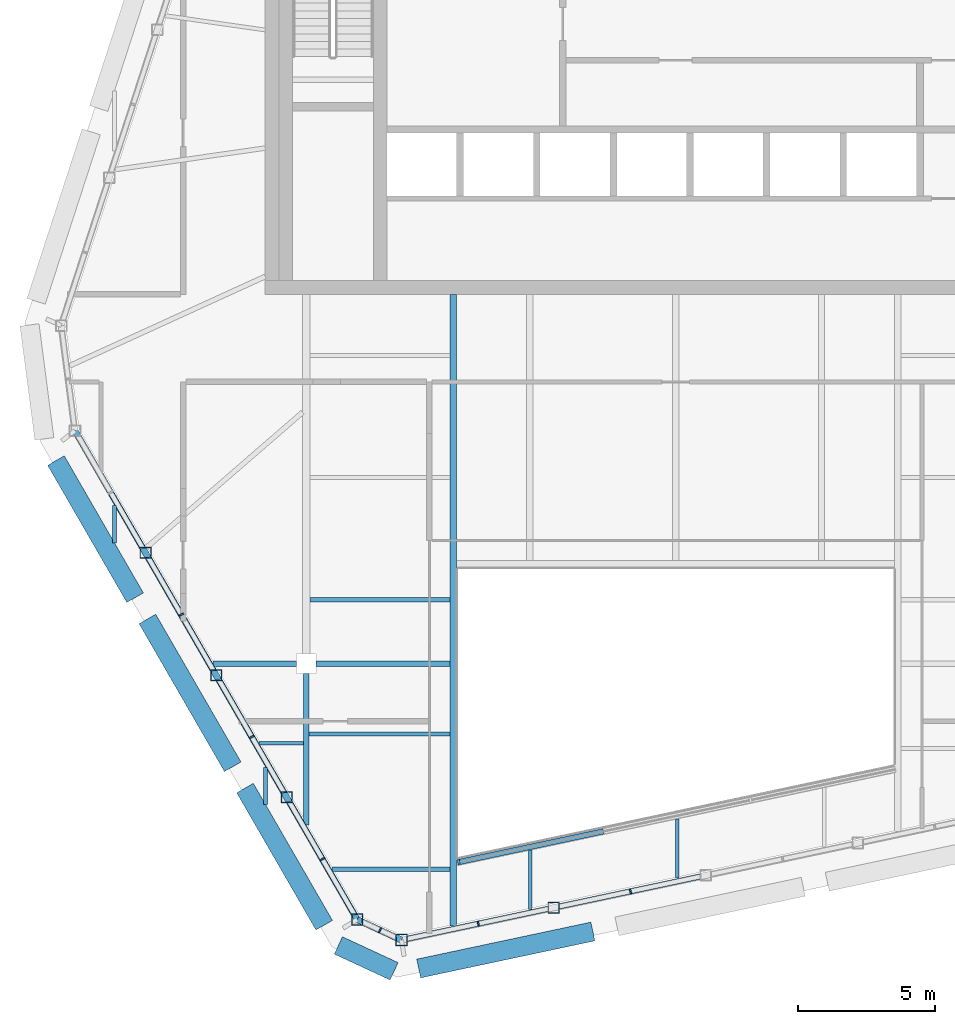
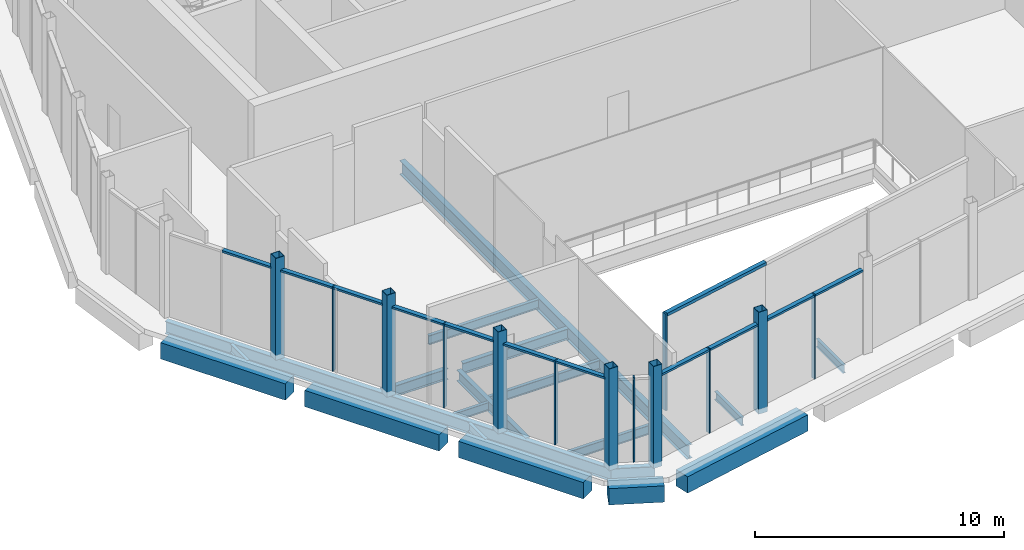
# One storey, part 1 of 12: 25 members, 19 beams, 4 elements without a shape of their own.
"""IFC4 building model written with IfcOpenShell, lengths in metres."""

from ifc_helpers import new_model, si_unit, direction, frame, origin, origin_2d, place, context, subcontext, project, spatial, rectangle, hollow_rectangle, i_section, extrude, material, layer, layer_set, material_profile, profile_set, type_object, element, aggregate, save


model = new_model("IFC4")

# Units and contexts
model_context = context("Model", 3, precision=1e-05, world=origin(), true_north=direction((0.0, 1.0)))
body_context = subcontext(model_context, "Body", "Model", "MODEL_VIEW")
ifc_project = project(units=[si_unit("LENGTHUNIT", "METRE"), si_unit("AREAUNIT", "SQUARE_METRE"), si_unit("VOLUMEUNIT", "CUBIC_METRE"), si_unit("PLANEANGLEUNIT", "RADIAN"), si_unit("MASSUNIT", "GRAM", prefix="KILO")], contexts=[model_context])

# Site, building, storey
site_placement = place(None, origin())
site = spatial("IfcSite", under=ifc_project, at=site_placement, CompositionType="ELEMENT")
building_placement = place(site_placement, origin())
building = spatial("IfcBuilding", under=site, at=building_placement, Name="Isthmus Gate Tower", CompositionType="ELEMENT")
storey_placement = place(building_placement, frame((0.0, 0.0, 301.10009765625)))
storey = spatial("IfcBuildingStorey", under=building, at=storey_placement, Name="C1", CompositionType="ELEMENT", Elevation=301.10009765625)

# Members
ifc_material_1 = material(Name="Structural steel ASTM A500 Gr C", Category="steel")
ifc_material_profile_1 = material_profile(ifc_material_1, hollow_rectangle(XDim=0.406494140625, YDim=0.406494140625, WallThickness=0.017578125, at=origin_2d()), Name="HSS16X16X3/4")
ifc_profile_set_1 = profile_set([ifc_material_profile_1], Name="Structural steel ASTM A500 Gr C")
member_type_1 = type_object("IfcMemberType", Name="CROWN POST HSS16X16X3/4", PredefinedType="POST", material=ifc_profile_set_1)
for number, where, z_axis, x_axis, name in (
    (1, (-19.370849609375, -9.44873046875, -0.25), (0.0, 0.0, 1.0), (1.0, 0.0, 0.0), "str-crownpost-C1-12"),
    (2, (-16.792236328125, -13.9150390625, -0.25), (0.0, 0.0, 1.0), (1.0, 0.0, 0.0), "str-crownpost-C1-13"),
    (3, (-14.213623046875, -18.38134765625, -0.25), (0.0, 0.0, 1.0), (1.0, 0.0, 0.0), "str-crownpost-C1-14"),
    (4, (-11.634765625, -22.847900390625, -0.25), (0.0, 0.0, 1.0), (1.0, 0.0, 0.0), "str-crownpost-C1-15"),
    (5, (-10.020263671875, -23.596435546875, -0.25), (0.0, 0.0, 1.0), (1.0, 0.0, 0.0), "str-crownpost-C1-16"),
    (6, (-4.46142578125, -22.414794921875, -0.25), (0.0, 0.0, 1.0), (1.0, 0.0, 0.0), "str-crownpost-C1-17"),
):
    element("IfcMember", number, at=place(storey_placement, frame(where, z_axis=z_axis, x_axis=x_axis)), inside=storey, type_object=member_type_1, Name=name, PredefinedType="POST", context=body_context, shape_type="SweptSolid", body=[
        extrude(hollow_rectangle(XDim=0.406494140625, YDim=0.406494140625, WallThickness=0.017578125, at=origin_2d()), origin(), (0.0, 0.0, 1.0), 5.0),
    ])

# Beams
ifc_material_2 = material(Name="Structural steel ASTM A992 Gr 50", Category="steel")
ifc_material_profile_2 = material_profile(ifc_material_2, i_section(OverallWidth=0.231689453125, OverallDepth=0.615966796875, WebThickness=0.0126953125, FlangeThickness=0.022216796875, at=origin_2d()), Name="W24X94")
ifc_profile_set_2 = profile_set([ifc_material_profile_2], Name="Structural steel ASTM A992 Gr 50")
beam_type_1 = type_object("IfcBeamType", Name="CROWN RING BEAM W24X94", PredefinedType="BEAM", material=ifc_profile_set_2)
beam_1_placement = place(storey_placement, frame((-21.949462890625, -4.982177734375, -0.55810546875), z_axis=(0.499996999955, -0.866027135854, 0.0), x_axis=(0.866027135854, 0.499996999955, 0.0)))
element("IfcBeam", 7, at=beam_1_placement, inside=storey, type_object=beam_type_1, Name="str-crownring-C1-04", PredefinedType="BEAM", context=body_context, shape_type="SweptSolid", body=[
    extrude(i_section(OverallWidth=0.231689453125, OverallDepth=0.615966796875, WebThickness=0.0126953125, FlangeThickness=0.022216796875, at=origin_2d()), origin(), (0.0, 0.0, 1.0), 20.629638671875),
])
beam_2_placement = place(storey_placement, frame((-11.634765625, -22.847900390625, -0.55810546875), z_axis=(0.907235278747, -0.420623524065, 0.0), x_axis=(0.420623524065, 0.907235278747, 0.0)))
element("IfcBeam", 8, at=beam_2_placement, inside=storey, type_object=beam_type_1, Name="str-crownring-C1-05", PredefinedType="BEAM", context=body_context, shape_type="SweptSolid", body=[
    extrude(i_section(OverallWidth=0.231689453125, OverallDepth=0.615966796875, WebThickness=0.0126953125, FlangeThickness=0.022216796875, at=origin_2d()), origin(), (0.0, 0.0, 1.0), 1.779541015625),
])

# Curtain wall, members
ifc_material_3 = material(Name="Aluminium, pale champagne anodised", Category="aluminium")
ifc_layer_1 = layer(ifc_material_3, 0.199951171875)
ifc_layer_set_1 = layer_set([ifc_layer_1], Name="CW-2 LOUVRE CURTAIN WALL 200 DEEP")
curtain_wall_type_1 = type_object("IfcCurtainWallType", Name="CW-2 LOUVRE CURTAIN WALL 200 DEEP", PredefinedType="NOTDEFINED", material=ifc_layer_set_1)
curtain_wall_1_placement = place(storey_placement, origin())
curtain_wall_1 = element("IfcCurtainWall", 9, at=curtain_wall_1_placement, inside=storey, type_object=curtain_wall_type_1, Name="CW-2 E04 C1", PredefinedType="NOTDEFINED")
ifc_material_4 = material(Name="Aluminium, pale champagne anodised", Category="aluminium")
ifc_material_profile_3 = material_profile(ifc_material_4, rectangle(XDim=0.06005859375, YDim=0.199951171875, at=origin_2d()), Name="60x200")
ifc_profile_set_3 = profile_set([ifc_material_profile_3], Name="Aluminium, pale champagne anodised")
member_type_2 = type_object("IfcMemberType", Name="CW-2 MULLION 60 X 200", PredefinedType="MULLION", material=ifc_profile_set_3)
member_1_placement = place(storey_placement, frame((-18.066650390625, -11.707763671875, 0.0), z_axis=(0.0, 0.0, 1.0), x_axis=(0.5, -0.866025403784, 0.0)))
member_1 = element("IfcMember", 10, at=member_1_placement, type_object=member_type_2, Name="CW-2 mullion", PredefinedType="MULLION", context=body_context, shape_type="SweptSolid", body=[
    extrude(rectangle(XDim=0.06005859375, YDim=0.199951171875, at=origin_2d()), origin(), (0.0, 0.0, 1.0), 4.134033203125),
])
member_2_placement = place(storey_placement, frame((-15.48779296875, -16.17431640625, 0.0), z_axis=(0.0, 0.0, 1.0), x_axis=(0.5, -0.866025403784, 0.0)))
member_2 = element("IfcMember", 11, at=member_2_placement, type_object=member_type_2, Name="CW-2 mullion", PredefinedType="MULLION", context=body_context, shape_type="SweptSolid", body=[
    extrude(rectangle(XDim=0.06005859375, YDim=0.199951171875, at=origin_2d()), origin(), (0.0, 0.0, 1.0), 4.134033203125),
])
member_3_placement = place(storey_placement, frame((-12.9091796875, -20.640625, 0.0), z_axis=(0.0, 0.0, 1.0), x_axis=(0.5, -0.866025403784, 0.0)))
member_3 = element("IfcMember", 12, at=member_3_placement, type_object=member_type_2, Name="CW-2 mullion", PredefinedType="MULLION", context=body_context, shape_type="SweptSolid", body=[
    extrude(rectangle(XDim=0.06005859375, YDim=0.199951171875, at=origin_2d()), origin(), (0.0, 0.0, 1.0), 4.134033203125),
])

# Curtain wall, member
curtain_wall_2_placement = place(storey_placement, origin())
curtain_wall_2 = element("IfcCurtainWall", 13, at=curtain_wall_2_placement, inside=storey, type_object=curtain_wall_type_1, Name="CW-2 E05 C1", PredefinedType="NOTDEFINED")
member_4_placement = place(storey_placement, frame((-10.80029296875, -23.234619140625, 0.0), z_axis=(0.0, 0.0, 1.0), x_axis=(0.907256261367, -0.420578264073, 0.0)))
member_4 = element("IfcMember", 14, at=member_4_placement, type_object=member_type_2, Name="CW-2 mullion", PredefinedType="MULLION", context=body_context, shape_type="SweptSolid", body=[
    extrude(rectangle(XDim=0.06005859375, YDim=0.199951171875, at=origin_2d()), origin(), (0.0, 0.0, 1.0), 4.134033203125),
])
aggregate(curtain_wall_2, [member_4])

# Curtain wall, members
curtain_wall_3_placement = place(storey_placement, origin())
curtain_wall_3 = element("IfcCurtainWall", 15, at=curtain_wall_3_placement, inside=storey, type_object=curtain_wall_type_1, Name="CW-2 E06 C1", PredefinedType="NOTDEFINED")
member_5_placement = place(storey_placement, frame((-7.21142578125, -22.999267578125, 0.0), z_axis=(0.0, 0.0, 1.0), x_axis=(0.978147600734, 0.207911690818, 0.0)))
member_5 = element("IfcMember", 16, at=member_5_placement, type_object=member_type_2, Name="CW-2 mullion", PredefinedType="MULLION", context=body_context, shape_type="SweptSolid", body=[
    extrude(rectangle(XDim=0.06005859375, YDim=0.199951171875, at=origin_2d()), origin(), (0.0, 0.0, 1.0), 4.134033203125),
])
member_6_placement = place(storey_placement, frame((-1.652587890625, -21.81787109375, 0.0), z_axis=(0.0, 0.0, 1.0), x_axis=(0.978147600734, 0.207911690818, 0.0)))
member_6 = element("IfcMember", 17, at=member_6_placement, type_object=member_type_2, Name="CW-2 mullion", PredefinedType="MULLION", context=body_context, shape_type="SweptSolid", body=[
    extrude(rectangle(XDim=0.06005859375, YDim=0.199951171875, at=origin_2d()), origin(), (0.0, 0.0, 1.0), 4.134033203125),
])

# Member
ifc_material_5 = material(Name="Aluminium, pale champagne anodised", Category="aluminium")
ifc_material_profile_4 = material_profile(ifc_material_5, rectangle(XDim=0.199951171875, YDim=0.10009765625, at=origin_2d()), Name="200x100")
ifc_profile_set_4 = profile_set([ifc_material_profile_4], Name="Aluminium, pale champagne anodised")
member_type_3 = type_object("IfcMemberType", Name="CW-2 TRANSOM 200 X 100", PredefinedType="USERDEFINED", material=ifc_profile_set_4)
member_7_placement = place(storey_placement, frame((-20.630126953125, -7.267333984375, 4.083984375), z_axis=(0.499971918929, -0.866041615791, 0.0), x_axis=(0.866041615791, 0.499971918929, 0.0)))
member_7 = element("IfcMember", 18, at=member_7_placement, type_object=member_type_3, Name="CW-2 transom", ObjectType="TRANSOM", PredefinedType="USERDEFINED", context=body_context, shape_type="SweptSolid", body=[
    extrude(rectangle(XDim=0.199951171875, YDim=0.10009765625, at=origin_2d()), origin(), (0.0, 0.0, 1.0), 2.315673828125),
])

member_8_placement = place(storey_placement, frame((-19.269287109375, -9.62451171875, 4.083984375), z_axis=(0.49997450891, -0.866040120572, 0.0), x_axis=(0.866040120572, 0.49997450891, 0.0)))
member_8 = element("IfcMember", 19, at=member_8_placement, type_object=member_type_3, Name="CW-2 transom", ObjectType="TRANSOM", PredefinedType="USERDEFINED", context=body_context, shape_type="SweptSolid", body=[
    extrude(rectangle(XDim=0.199951171875, YDim=0.10009765625, at=origin_2d()), origin(), (0.0, 0.0, 1.0), 2.37548828125),
])

member_9_placement = place(storey_placement, frame((-18.051513671875, -11.73388671875, 4.083984375), z_axis=(0.50001757531, -0.866015256437, 0.0), x_axis=(0.866015256437, 0.50001757531, 0.0)))
member_9 = element("IfcMember", 20, at=member_9_placement, type_object=member_type_3, Name="CW-2 transom", ObjectType="TRANSOM", PredefinedType="USERDEFINED", context=body_context, shape_type="SweptSolid", body=[
    extrude(rectangle(XDim=0.199951171875, YDim=0.10009765625, at=origin_2d()), origin(), (0.0, 0.0, 1.0), 2.3154296875),
])

member_10_placement = place(storey_placement, frame((-16.690673828125, -14.091064453125, 4.083984375), z_axis=(0.500019011276, -0.866014427341, 0.0), x_axis=(0.866014427341, 0.500019011276, 0.0)))
member_10 = element("IfcMember", 21, at=member_10_placement, type_object=member_type_3, Name="CW-2 transom", ObjectType="TRANSOM", PredefinedType="USERDEFINED", context=body_context, shape_type="SweptSolid", body=[
    extrude(rectangle(XDim=0.199951171875, YDim=0.10009765625, at=origin_2d()), origin(), (0.0, 0.0, 1.0), 2.37548828125),
])

member_11_placement = place(storey_placement, frame((-15.472900390625, -16.2001953125, 4.083984375), z_axis=(0.50001757531, -0.866015256437, 0.0), x_axis=(0.866015256437, 0.50001757531, 0.0)))
member_11 = element("IfcMember", 22, at=member_11_placement, type_object=member_type_3, Name="CW-2 transom", ObjectType="TRANSOM", PredefinedType="USERDEFINED", context=body_context, shape_type="SweptSolid", body=[
    extrude(rectangle(XDim=0.199951171875, YDim=0.10009765625, at=origin_2d()), origin(), (0.0, 0.0, 1.0), 2.3154296875),
])

member_12_placement = place(storey_placement, frame((-14.112060546875, -18.557373046875, 4.083984375), z_axis=(0.500019011276, -0.866014427341, 0.0), x_axis=(0.866014427341, 0.500019011276, 0.0)))
member_12 = element("IfcMember", 23, at=member_12_placement, type_object=member_type_3, Name="CW-2 transom", ObjectType="TRANSOM", PredefinedType="USERDEFINED", context=body_context, shape_type="SweptSolid", body=[
    extrude(rectangle(XDim=0.199951171875, YDim=0.10009765625, at=origin_2d()), origin(), (0.0, 0.0, 1.0), 2.37548828125),
])

member_13_placement = place(storey_placement, frame((-12.894287109375, -20.66650390625, 4.083984375), z_axis=(0.499971918929, -0.866041615791, 0.0), x_axis=(0.866041615791, 0.499971918929, 0.0)))
member_13 = element("IfcMember", 24, at=member_13_placement, type_object=member_type_3, Name="CW-2 transom", ObjectType="TRANSOM", PredefinedType="USERDEFINED", context=body_context, shape_type="SweptSolid", body=[
    extrude(rectangle(XDim=0.199951171875, YDim=0.10009765625, at=origin_2d()), origin(), (0.0, 0.0, 1.0), 2.315673828125),
])

aggregate(curtain_wall_1, [member_7, member_8, member_1, member_9, member_10, member_2, member_11, member_12, member_3, member_13])

member_14_placement = place(storey_placement, frame((-9.8212890625, -23.55419921875, 4.083984375), z_axis=(0.978142384703, 0.207936228801, 0.0), x_axis=(-0.207936228801, 0.978142384703, 0.0)))
member_14 = element("IfcMember", 25, at=member_14_placement, type_object=member_type_3, Name="CW-2 transom", ObjectType="TRANSOM", PredefinedType="USERDEFINED", context=body_context, shape_type="SweptSolid", body=[
    extrude(rectangle(XDim=0.199951171875, YDim=0.10009765625, at=origin_2d()), origin(), (0.0, 0.0, 1.0), 2.63818359375),
])

member_15_placement = place(storey_placement, frame((-7.18212890625, -22.9931640625, 4.083984375), z_axis=(0.978142002072, 0.207938028708, 0.0), x_axis=(-0.207938028708, 0.978142002072, 0.0)))
member_15 = element("IfcMember", 26, at=member_15_placement, type_object=member_type_3, Name="CW-2 transom", ObjectType="TRANSOM", PredefinedType="USERDEFINED", context=body_context, shape_type="SweptSolid", body=[
    extrude(rectangle(XDim=0.199951171875, YDim=0.10009765625, at=origin_2d()), origin(), (0.0, 0.0, 1.0), 2.578369140625),
])

member_16_placement = place(storey_placement, frame((-4.262451171875, -22.37255859375, 4.083984375), z_axis=(0.978142384703, 0.207936228801, 0.0), x_axis=(-0.207936228801, 0.978142384703, 0.0)))
member_16 = element("IfcMember", 27, at=member_16_placement, type_object=member_type_3, Name="CW-2 transom", ObjectType="TRANSOM", PredefinedType="USERDEFINED", context=body_context, shape_type="SweptSolid", body=[
    extrude(rectangle(XDim=0.199951171875, YDim=0.10009765625, at=origin_2d()), origin(), (0.0, 0.0, 1.0), 2.63818359375),
])

member_17_placement = place(storey_placement, frame((-1.623291015625, -21.8115234375, 4.083984375), z_axis=(0.978142002072, 0.207938028708, 0.0), x_axis=(-0.207938028708, 0.978142002072, 0.0)))
member_17 = element("IfcMember", 28, at=member_17_placement, type_object=member_type_3, Name="CW-2 transom", ObjectType="TRANSOM", PredefinedType="USERDEFINED", context=body_context, shape_type="SweptSolid", body=[
    extrude(rectangle(XDim=0.199951171875, YDim=0.10009765625, at=origin_2d()), origin(), (0.0, 0.0, 1.0), 2.578369140625),
])

aggregate(curtain_wall_3, [member_14, member_5, member_15, member_16, member_6, member_17])

# Curtain wall, members
ifc_material_6 = material(Name="Aluminium, pale champagne anodised", Category="aluminium")
ifc_layer_2 = layer(ifc_material_6, 0.199951171875)
ifc_layer_set_2 = layer_set([ifc_layer_2], Name="CW-4 ATRIUM CURTAIN WALL 200 DEEP")
curtain_wall_type_2 = type_object("IfcCurtainWallType", Name="CW-4 ATRIUM CURTAIN WALL 200 DEEP", PredefinedType="NOTDEFINED", material=ifc_layer_set_2)
curtain_wall_4_placement = place(storey_placement, origin())
curtain_wall_4 = element("IfcCurtainWall", 29, at=curtain_wall_4_placement, inside=storey, type_object=curtain_wall_type_2, Name="CW-4 atrium south C1", PredefinedType="NOTDEFINED")
ifc_material_7 = material(Name="Aluminium, pale champagne anodised", Category="aluminium")
ifc_material_profile_5 = material_profile(ifc_material_7, rectangle(XDim=0.080078125, YDim=0.199951171875, at=origin_2d()), Name="80x200")
ifc_profile_set_5 = profile_set([ifc_material_profile_5], Name="Aluminium, pale champagne anodised")
member_type_4 = type_object("IfcMemberType", Name="CW-4 MULLION 80 X 200", PredefinedType="MULLION", material=ifc_profile_set_5)
member_18_placement = place(storey_placement, frame((-7.9296875, -20.74951171875, 0.0), z_axis=(0.0, 0.0, 1.0), x_axis=(0.978147600734, 0.207911690818, 0.0)))
member_18 = element("IfcMember", 30, at=member_18_placement, type_object=member_type_4, Name="CW-4 mullion", PredefinedType="MULLION", context=body_context, shape_type="SweptSolid", body=[
    extrude(rectangle(XDim=0.080078125, YDim=0.199951171875, at=origin_2d()), origin(), (0.0, 0.0, 1.0), 4.75),
])
ifc_material_8 = material(Name="Aluminium, pale champagne anodised", Category="aluminium")
ifc_material_profile_6 = material_profile(ifc_material_8, rectangle(XDim=0.199951171875, YDim=0.14990234375, at=origin_2d()), Name="200x150")
ifc_profile_set_6 = profile_set([ifc_material_profile_6], Name="Aluminium, pale champagne anodised")
member_type_5 = type_object("IfcMemberType", Name="CW-4 TRANSOM 200 X 150", PredefinedType="USERDEFINED", material=ifc_profile_set_6)
member_19_placement = place(storey_placement, frame((-7.890625, -20.7412109375, 4.6748046875), z_axis=(0.978150188204, 0.207899517354, 0.0), x_axis=(-0.207899517354, 0.978150188204, 0.0)))
member_19 = element("IfcMember", 31, at=member_19_placement, type_object=member_type_5, Name="CW-4 transom", ObjectType="TRANSOM", PredefinedType="USERDEFINED", context=body_context, shape_type="SweptSolid", body=[
    extrude(rectangle(XDim=0.199951171875, YDim=0.14990234375, at=origin_2d()), origin(), (0.0, 0.0, 1.0), 5.37255859375),
])
aggregate(curtain_wall_4, [member_18, member_19])

# Beams
ifc_material_9 = material(Name="Concrete f'c 50 MPa", Category="concrete")
ifc_material_profile_7 = material_profile(ifc_material_9, rectangle(XDim=0.699951171875, YDim=0.800048828125, at=origin_2d()), Name="RC 700X800")
ifc_profile_set_7 = profile_set([ifc_material_profile_7], Name="Concrete f'c 50 MPa")
beam_type_2 = type_object("IfcBeamType", Name="RC ROOF RING BEAM 700 X 800", PredefinedType="BEAM", material=ifc_profile_set_7)
beam_3_placement = place(storey_placement, frame((-3.025146484375, -23.28515625, -0.650146484375), z_axis=(-0.97815026796, -0.207899142108, 0.0), x_axis=(0.207899142108, -0.97815026796, 0.0)))
element("IfcBeam", 32, at=beam_3_placement, inside=storey, type_object=beam_type_2, Name="str-roofring-C1-11", PredefinedType="BEAM", context=body_context, shape_type="SweptSolid", body=[
    extrude(rectangle(XDim=0.699951171875, YDim=0.800048828125, at=origin_2d()), origin(), (0.0, 0.0, 1.0), 6.5068359375),
])
beam_4_placement = place(storey_placement, frame((-10.288330078125, -24.739501953125, -0.650146484375), z_axis=(-0.907254968276, 0.42058105347, 0.0), x_axis=(-0.42058105347, -0.907254968276, 0.0)))
element("IfcBeam", 33, at=beam_4_placement, inside=storey, type_object=beam_type_2, Name="str-roofring-C1-12", PredefinedType="BEAM", context=body_context, shape_type="SweptSolid", body=[
    extrude(rectangle(XDim=0.699951171875, YDim=0.800048828125, at=origin_2d()), origin(), (0.0, 0.0, 1.0), 2.245849609375),
])
beam_5_placement = place(storey_placement, frame((-12.843505859375, -23.0546875, -0.650146484375), z_axis=(-0.499961143711, 0.866047836311, 0.0), x_axis=(-0.866047836311, -0.499961143711, 0.0)))
element("IfcBeam", 34, at=beam_5_placement, inside=storey, type_object=beam_type_2, Name="str-roofring-C1-13", PredefinedType="BEAM", context=body_context, shape_type="SweptSolid", body=[
    extrude(rectangle(XDim=0.699951171875, YDim=0.800048828125, at=origin_2d()), origin(), (0.0, 0.0, 1.0), 5.78466796875),
])
beam_6_placement = place(storey_placement, frame((-16.185791015625, -17.265625, -0.650146484375), z_axis=(-0.499997027648, 0.866027119866, 0.0), x_axis=(-0.866027119866, -0.499997027648, 0.0)))
element("IfcBeam", 35, at=beam_6_placement, inside=storey, type_object=beam_type_2, Name="str-roofring-C1-14", PredefinedType="BEAM", context=body_context, shape_type="SweptSolid", body=[
    extrude(rectangle(XDim=0.699951171875, YDim=0.800048828125, at=origin_2d()), origin(), (0.0, 0.0, 1.0), 6.234375),
])
beam_7_placement = place(storey_placement, frame((-19.7529296875, -11.0869140625, -0.650146484375), z_axis=(-0.500011073467, 0.866019010421, 0.0), x_axis=(-0.866019010421, -0.500011073467, 0.0)))
element("IfcBeam", 36, at=beam_7_placement, inside=storey, type_object=beam_type_2, Name="str-roofring-C1-15", PredefinedType="BEAM", context=body_context, shape_type="SweptSolid", body=[
    extrude(rectangle(XDim=0.699951171875, YDim=0.800048828125, at=origin_2d()), origin(), (0.0, 0.0, 1.0), 5.784423828125),
])
ifc_material_10 = material(Name="Structural steel ASTM A992 Gr 50", Category="steel")
ifc_material_profile_8 = material_profile(ifc_material_10, i_section(OverallWidth=0.1396484375, OverallDepth=0.4033203125, WebThickness=0.00634765625, FlangeThickness=0.010986328125, at=origin_2d()), Name="W16X31")
ifc_profile_set_8 = profile_set([ifc_material_profile_8], Name="Structural steel ASTM A992 Gr 50")
beam_type_3 = type_object("IfcBeamType", Name="STEEL FLOOR BEAM W16X31", PredefinedType="JOIST", material=ifc_profile_set_8)
beam_8_placement = place(storey_placement, frame((-15.22119140625, -16.404296875, -0.45166015625), z_axis=(1.0, 0.0, 0.0), x_axis=(0.0, 1.0, 0.0)))
element("IfcBeam", 37, at=beam_8_placement, inside=storey, type_object=beam_type_3, Name="str-beam-C1-00-00", PredefinedType="JOIST", context=body_context, shape_type="SweptSolid", body=[
    extrude(i_section(OverallWidth=0.1396484375, OverallDepth=0.4033203125, WebThickness=0.00634765625, FlangeThickness=0.010986328125, at=origin_2d()), origin(), (0.0, 0.0, 1.0), 1.616455078125),
])
beam_9_placement = place(storey_placement, frame((-5.314208984375, -22.4775390625, -0.45166015625), z_axis=(0.0, 1.0, 0.0), x_axis=(-1.0, 0.0, 0.0)))
element("IfcBeam", 38, at=beam_9_placement, inside=storey, type_object=beam_type_3, Name="str-beam-C1-04-00", PredefinedType="JOIST", context=body_context, shape_type="SweptSolid", body=[
    extrude(i_section(OverallWidth=0.1396484375, OverallDepth=0.4033203125, WebThickness=0.00634765625, FlangeThickness=0.010986328125, at=origin_2d()), origin(), (0.0, 0.0, 1.0), 2.16455078125),
])
beam_10_placement = place(storey_placement, frame((0.05712890625, -21.3359375, -0.45166015625), z_axis=(0.0, 1.0, 0.0), x_axis=(-1.0, 0.0, 0.0)))
element("IfcBeam", 39, at=beam_10_placement, inside=storey, type_object=beam_type_3, Name="str-beam-C1-04-01", PredefinedType="JOIST", context=body_context, shape_type="SweptSolid", body=[
    extrude(i_section(OverallWidth=0.1396484375, OverallDepth=0.4033203125, WebThickness=0.00634765625, FlangeThickness=0.010986328125, at=origin_2d()), origin(), (0.0, 0.0, 1.0), 2.164794921875),
])
ifc_material_11 = material(Name="Structural steel ASTM A992 Gr 50", Category="steel")
ifc_material_profile_9 = material_profile(ifc_material_11, i_section(OverallWidth=0.15234375, OverallDepth=0.45068359375, WebThickness=0.0078125, FlangeThickness=0.010986328125, at=origin_2d()), Name="W18X35")
ifc_profile_set_9 = profile_set([ifc_material_profile_9], Name="Structural steel ASTM A992 Gr 50")
beam_type_4 = type_object("IfcBeamType", Name="STEEL FLOOR BEAM W18X35", PredefinedType="JOIST", material=ifc_profile_set_9)
beam_11_placement = place(storey_placement, frame((-13.3681640625, -11.16259765625, -0.4755859375), z_axis=(1.0, 0.0, 0.0), x_axis=(0.0, 1.0, 0.0)))
element("IfcBeam", 40, at=beam_11_placement, inside=storey, type_object=beam_type_4, Name="str-beam-C1-01-00", PredefinedType="JOIST", context=body_context, shape_type="SweptSolid", body=[
    extrude(i_section(OverallWidth=0.15234375, OverallDepth=0.45068359375, WebThickness=0.0078125, FlangeThickness=0.010986328125, at=origin_2d()), origin(), (0.0, 0.0, 1.0), 5.1142578125),
])
beam_12_placement = place(storey_placement, frame((-12.563720703125, -21.00732421875, -0.4755859375), z_axis=(1.0, 0.0, 0.0), x_axis=(0.0, 1.0, 0.0)))
element("IfcBeam", 41, at=beam_12_placement, inside=storey, type_object=beam_type_4, Name="str-beam-C1-02-00", PredefinedType="JOIST", context=body_context, shape_type="SweptSolid", body=[
    extrude(i_section(OverallWidth=0.15234375, OverallDepth=0.45068359375, WebThickness=0.0078125, FlangeThickness=0.010986328125, at=origin_2d()), origin(), (0.0, 0.0, 1.0), 4.309814453125),
])
beam_13_placement = place(storey_placement, frame((-13.395263671875, -16.072265625, -0.4755859375), z_axis=(1.0, 0.0, 0.0), x_axis=(0.0, 1.0, 0.0)))
element("IfcBeam", 42, at=beam_13_placement, inside=storey, type_object=beam_type_4, Name="str-beam-C1-02-01", PredefinedType="JOIST", context=body_context, shape_type="SweptSolid", body=[
    extrude(i_section(OverallWidth=0.15234375, OverallDepth=0.45068359375, WebThickness=0.0078125, FlangeThickness=0.010986328125, at=origin_2d()), origin(), (0.0, 0.0, 1.0), 5.141357421875),
])
ifc_material_12 = material(Name="Structural steel ASTM A992 Gr 50", Category="steel")
ifc_material_profile_10 = material_profile(ifc_material_12, i_section(OverallWidth=0.20947265625, OverallDepth=0.533447265625, WebThickness=0.009521484375, FlangeThickness=0.015869140625, at=origin_2d()), Name="W21X62")
ifc_profile_set_10 = profile_set([ifc_material_profile_10], Name="Structural steel ASTM A992 Gr 50")
beam_type_5 = type_object("IfcBeamType", Name="STEEL GIRDER W21X62", PredefinedType="BEAM", material=ifc_profile_set_10)
beam_14_placement = place(storey_placement, frame((-16.89794921875, -13.5, -0.516845703125), z_axis=(1.0, 0.0, 0.0), x_axis=(0.0, 1.0, 0.0)))
element("IfcBeam", 43, at=beam_14_placement, inside=storey, type_object=beam_type_5, Name="str-girder-C1-01", PredefinedType="BEAM", context=body_context, shape_type="SweptSolid", body=[
    extrude(i_section(OverallWidth=0.20947265625, OverallDepth=0.533447265625, WebThickness=0.009521484375, FlangeThickness=0.015869140625, at=origin_2d()), origin(), (0.0, 0.0, 1.0), 3.0478515625),
])
beam_15_placement = place(storey_placement, frame((-13.14990234375, -13.5, -0.516845703125), z_axis=(1.0, 0.0, 0.0), x_axis=(0.0, 1.0, 0.0)))
element("IfcBeam", 44, at=beam_15_placement, inside=storey, type_object=beam_type_5, Name="str-girder-C1-02", PredefinedType="BEAM", context=body_context, shape_type="SweptSolid", body=[
    extrude(i_section(OverallWidth=0.20947265625, OverallDepth=0.533447265625, WebThickness=0.009521484375, FlangeThickness=0.015869140625, at=origin_2d()), origin(), (0.0, 0.0, 1.0), 4.89599609375),
])
beam_16_placement = place(storey_placement, frame((-13.5, -19.385498046875, -0.516845703125), z_axis=(0.0, 1.0, 0.0), x_axis=(-1.0, 0.0, 0.0)))
element("IfcBeam", 45, at=beam_16_placement, inside=storey, type_object=beam_type_5, Name="str-girder-C1-05", PredefinedType="BEAM", context=body_context, shape_type="SweptSolid", body=[
    extrude(i_section(OverallWidth=0.20947265625, OverallDepth=0.533447265625, WebThickness=0.009521484375, FlangeThickness=0.015869140625, at=origin_2d()), origin(), (0.0, 0.0, 1.0), 5.535400390625),
])
ifc_material_13 = material(Name="Structural steel ASTM A992 Gr 50", Category="steel")
ifc_material_profile_11 = material_profile(ifc_material_13, i_section(OverallWidth=0.1396484375, OverallDepth=0.4033203125, WebThickness=0.00634765625, FlangeThickness=0.010986328125, at=origin_2d()), Name="W16X31")
ifc_profile_set_11 = profile_set([ifc_material_profile_11], Name="Structural steel ASTM A992 Gr 50")
beam_type_6 = type_object("IfcBeamType", Name="STEEL LEDGE BEAM W16X31", PredefinedType="JOIST", material=ifc_profile_set_11)
beam_17_placement = place(storey_placement, frame((-20.505615234375, -9.083251953125, -0.45166015625), z_axis=(0.0, 1.0, 0.0), x_axis=(-1.0, 0.0, 0.0)))
element("IfcBeam", 46, at=beam_17_placement, inside=storey, type_object=beam_type_6, Name="str-ringbeam-C1-00-00", PredefinedType="JOIST", context=body_context, shape_type="SweptSolid", body=[
    extrude(i_section(OverallWidth=0.1396484375, OverallDepth=0.4033203125, WebThickness=0.00634765625, FlangeThickness=0.010986328125, at=origin_2d()), origin(), (0.0, 0.0, 1.0), 1.360107421875),
])
beam_18_placement = place(storey_placement, frame((-14.984619140625, -18.64599609375, -0.45166015625), z_axis=(0.0, 1.0, 0.0), x_axis=(-1.0, 0.0, 0.0)))
element("IfcBeam", 47, at=beam_18_placement, inside=storey, type_object=beam_type_6, Name="str-ringbeam-C1-00-02", PredefinedType="JOIST", context=body_context, shape_type="SweptSolid", body=[
    extrude(i_section(OverallWidth=0.1396484375, OverallDepth=0.4033203125, WebThickness=0.00634765625, FlangeThickness=0.010986328125, at=origin_2d()), origin(), (0.0, 0.0, 1.0), 1.35986328125),
])
ifc_material_14 = material(Name="Structural steel ASTM A992 Gr 50", Category="steel")
ifc_material_profile_12 = material_profile(ifc_material_14, i_section(OverallWidth=0.25390625, OverallDepth=0.679443359375, WebThickness=0.010986328125, FlangeThickness=0.015869140625, at=origin_2d()), Name="W27X84")
ifc_profile_set_12 = profile_set([ifc_material_profile_12], Name="Structural steel ASTM A992 Gr 50")
beam_type_7 = type_object("IfcBeamType", Name="STEEL TRIMMER W27X84", PredefinedType="BEAM", material=ifc_profile_set_12)
beam_19_placement = place(storey_placement, frame((-8.126953125, 0.0, -0.58984375), z_axis=(0.0, -1.0, 0.0), x_axis=(1.0, 0.0, 0.0)))
element("IfcBeam", 48, at=beam_19_placement, inside=storey, type_object=beam_type_7, Name="str-trimmer-C1-02", PredefinedType="BEAM", context=body_context, shape_type="SweptSolid", body=[
    extrude(i_section(OverallWidth=0.25390625, OverallDepth=0.679443359375, WebThickness=0.010986328125, FlangeThickness=0.015869140625, at=origin_2d()), origin(), (0.0, 0.0, 1.0), 23.075439453125),
])

save(model, "model.ifc")
